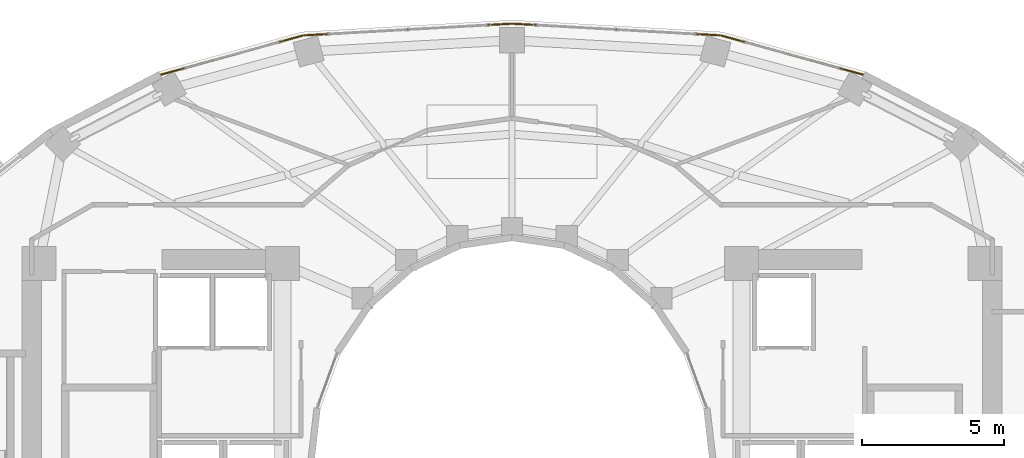
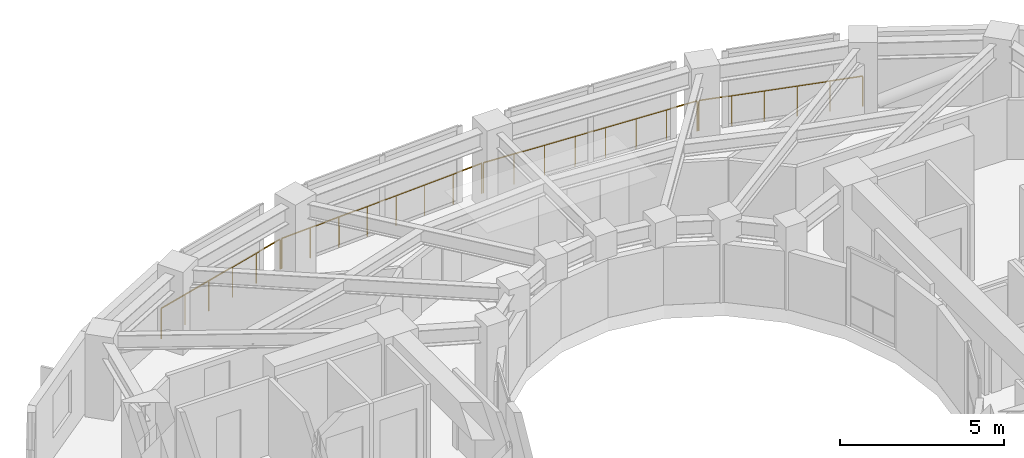
# One storey, part 20 of 20: 4 railings.
"""IFC4 building model written with IfcOpenShell, lengths in metres."""

from ifc_helpers import new_model, si_unit, direction, frame, origin, origin_2d, place, context, subcontext, project, spatial, circle, extrude, material, type_object, element, save


model = new_model("IFC4")

# Units and contexts
model_context = context("Model", 3, precision=1e-05, world=origin(), true_north=direction((0.0, 1.0)))
body_context = subcontext(model_context, "Body", "Model", "MODEL_VIEW")
ifc_project = project(units=[si_unit("LENGTHUNIT", "METRE"), si_unit("AREAUNIT", "SQUARE_METRE"), si_unit("VOLUMEUNIT", "CUBIC_METRE"), si_unit("PLANEANGLEUNIT", "RADIAN"), si_unit("MASSUNIT", "GRAM", prefix="KILO")], contexts=[model_context])

# Site, building, storey
site_placement = place(None, origin())
site = spatial("IfcSite", under=ifc_project, at=site_placement, CompositionType="ELEMENT")
building_placement = place(site_placement, origin())
building = spatial("IfcBuilding", under=site, at=building_placement, Name="Solvane Sanctuary Tower", CompositionType="ELEMENT")
storey_placement = place(building_placement, frame((0.0, 0.0, 137.39990234375)))
storey = spatial("IfcBuildingStorey", under=building, at=storey_placement, Name="L41", CompositionType="ELEMENT", Elevation=137.39990234375)

# Railings
ifc_material = material(Name="Architectural Stainless Steel 316", Category="steel")
railing_type = type_object("IfcRailingType", Name="Railing GR-BALC-1150", PredefinedType="BALUSTRADE", material=ifc_material)
railing_1_placement = place(storey_placement, frame((44.38427734375, 36.871337890625, 0.0)))
element("IfcRailing", 1, at=railing_1_placement, inside=storey, type_object=railing_type, Name="L41 Curtain-Wall Perimeter Sill Guard 04", PredefinedType="BALUSTRADE", context=body_context, shape_type="SweptSolid", body=[
    extrude(circle(Radius=0.02392578125, at=origin_2d()), frame((0.0, 0.0, 1.1259765625), z_axis=(-0.963963847171, 0.26603327113, 0.0), x_axis=(-0.26603327113, -0.963963847171, 0.0)), (0.0, 0.0, 1.0), 5.1767578125),
    extrude(circle(Radius=0.02099609375, at=origin_2d()), origin(), (0.0, 0.0, 1.0), 1.101806640625),
    extrude(circle(Radius=0.02099609375, at=origin_2d()), frame((-0.998046875, 0.275390625, 0.0)), (0.0, 0.0, 1.0), 1.101806640625),
    extrude(circle(Radius=0.02099609375, at=origin_2d()), frame((-1.99609375, 0.55078125, 0.0)), (0.0, 0.0, 1.0), 1.101806640625),
    extrude(circle(Radius=0.02099609375, at=origin_2d()), frame((-2.994140625, 0.826416015625, 0.0)), (0.0, 0.0, 1.0), 1.101806640625),
    extrude(circle(Radius=0.02099609375, at=origin_2d()), frame((-3.9921875, 1.101806640625, 0.0)), (0.0, 0.0, 1.0), 1.101806640625),
    extrude(circle(Radius=0.02099609375, at=origin_2d()), frame((-4.990234375, 1.377197265625, 0.0)), (0.0, 0.0, 1.0), 1.101806640625),
])
railing_2_placement = place(storey_placement, frame((39.335205078125, 38.25830078125, 0.0)))
element("IfcRailing", 2, at=railing_2_placement, inside=storey, type_object=railing_type, Name="L41 Curtain-Wall Perimeter Sill Guard 05", PredefinedType="BALUSTRADE", context=body_context, shape_type="SweptSolid", body=[
    extrude(circle(Radius=0.02392578125, at=origin_2d()), frame((0.0, 0.0, 1.1259765625), z_axis=(-0.998418179637, 0.056224003499, 0.0), x_axis=(-0.056224003499, -0.998418179637, 0.0)), (0.0, 0.0, 1.0), 7.316650390625),
    extrude(circle(Radius=0.02099609375, at=origin_2d()), origin(), (0.0, 0.0, 1.0), 1.101806640625),
    extrude(circle(Radius=0.02099609375, at=origin_2d()), frame((-1.043701171875, 0.058837890625, 0.0)), (0.0, 0.0, 1.0), 1.101806640625),
    extrude(circle(Radius=0.02099609375, at=origin_2d()), frame((-2.087158203125, 0.117431640625, 0.0)), (0.0, 0.0, 1.0), 1.101806640625),
    extrude(circle(Radius=0.02099609375, at=origin_2d()), frame((-3.130859375, 0.17626953125, 0.0)), (0.0, 0.0, 1.0), 1.101806640625),
    extrude(circle(Radius=0.02099609375, at=origin_2d()), frame((-4.17431640625, 0.235107421875, 0.0)), (0.0, 0.0, 1.0), 1.101806640625),
    extrude(circle(Radius=0.02099609375, at=origin_2d()), frame((-5.218017578125, 0.2939453125, 0.0)), (0.0, 0.0, 1.0), 1.101806640625),
    extrude(circle(Radius=0.02099609375, at=origin_2d()), frame((-6.261474609375, 0.3525390625, 0.0)), (0.0, 0.0, 1.0), 1.101806640625),
    extrude(circle(Radius=0.02099609375, at=origin_2d()), frame((-7.30517578125, 0.411376953125, 0.0)), (0.0, 0.0, 1.0), 1.101806640625),
])
railing_3_placement = place(storey_placement, frame((31.969970703125, 38.669677734375, 0.0)))
element("IfcRailing", 3, at=railing_3_placement, inside=storey, type_object=railing_type, Name="L41 Curtain-Wall Perimeter Sill Guard 06", PredefinedType="BALUSTRADE", context=body_context, shape_type="SweptSolid", body=[
    extrude(circle(Radius=0.02392578125, at=origin_2d()), frame((0.0, 0.0, 1.1259765625), z_axis=(-0.998418179637, -0.056224003499, 0.0), x_axis=(0.056224003499, -0.998418179637, 0.0)), (0.0, 0.0, 1.0), 7.316650390625),
    extrude(circle(Radius=0.02099609375, at=origin_2d()), origin(), (0.0, 0.0, 1.0), 1.101806640625),
    extrude(circle(Radius=0.02099609375, at=origin_2d()), frame((-1.043701171875, -0.058837890625, 0.0)), (0.0, 0.0, 1.0), 1.101806640625),
    extrude(circle(Radius=0.02099609375, at=origin_2d()), frame((-2.087158203125, -0.117431640625, 0.0)), (0.0, 0.0, 1.0), 1.101806640625),
    extrude(circle(Radius=0.02099609375, at=origin_2d()), frame((-3.130859375, -0.17626953125, 0.0)), (0.0, 0.0, 1.0), 1.101806640625),
    extrude(circle(Radius=0.02099609375, at=origin_2d()), frame((-4.17431640625, -0.235107421875, 0.0)), (0.0, 0.0, 1.0), 1.101806640625),
    extrude(circle(Radius=0.02099609375, at=origin_2d()), frame((-5.218017578125, -0.2939453125, 0.0)), (0.0, 0.0, 1.0), 1.101806640625),
    extrude(circle(Radius=0.02099609375, at=origin_2d()), frame((-6.261474609375, -0.3525390625, 0.0)), (0.0, 0.0, 1.0), 1.101806640625),
    extrude(circle(Radius=0.02099609375, at=origin_2d()), frame((-7.30517578125, -0.411376953125, 0.0)), (0.0, 0.0, 1.0), 1.101806640625),
])
railing_4_placement = place(storey_placement, frame((24.60595703125, 38.24853515625, 0.0)))
element("IfcRailing", 4, at=railing_4_placement, inside=storey, type_object=railing_type, Name="L41 Curtain-Wall Perimeter Sill Guard 07", PredefinedType="BALUSTRADE", context=body_context, shape_type="SweptSolid", body=[
    extrude(circle(Radius=0.02392578125, at=origin_2d()), frame((0.0, 0.0, 1.1259765625), z_axis=(-0.963963847171, -0.26603327113, 0.0), x_axis=(0.26603327113, -0.963963847171, 0.0)), (0.0, 0.0, 1.0), 5.1767578125),
    extrude(circle(Radius=0.02099609375, at=origin_2d()), origin(), (0.0, 0.0, 1.0), 1.101806640625),
    extrude(circle(Radius=0.02099609375, at=origin_2d()), frame((-0.998046875, -0.275390625, 0.0)), (0.0, 0.0, 1.0), 1.101806640625),
    extrude(circle(Radius=0.02099609375, at=origin_2d()), frame((-1.99609375, -0.55078125, 0.0)), (0.0, 0.0, 1.0), 1.101806640625),
    extrude(circle(Radius=0.02099609375, at=origin_2d()), frame((-2.994140625, -0.826416015625, 0.0)), (0.0, 0.0, 1.0), 1.101806640625),
    extrude(circle(Radius=0.02099609375, at=origin_2d()), frame((-3.9921875, -1.101806640625, 0.0)), (0.0, 0.0, 1.0), 1.101806640625),
    extrude(circle(Radius=0.02099609375, at=origin_2d()), frame((-4.990234375, -1.377197265625, 0.0)), (0.0, 0.0, 1.0), 1.101806640625),
])

save(model, "model.ifc")
